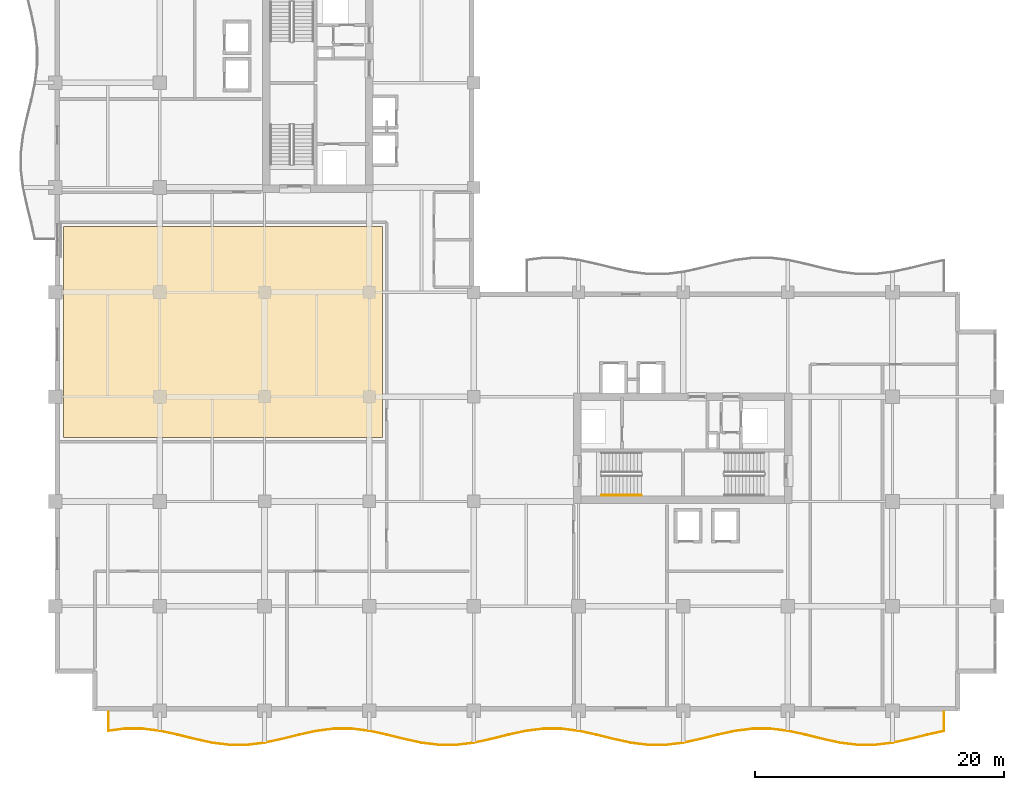
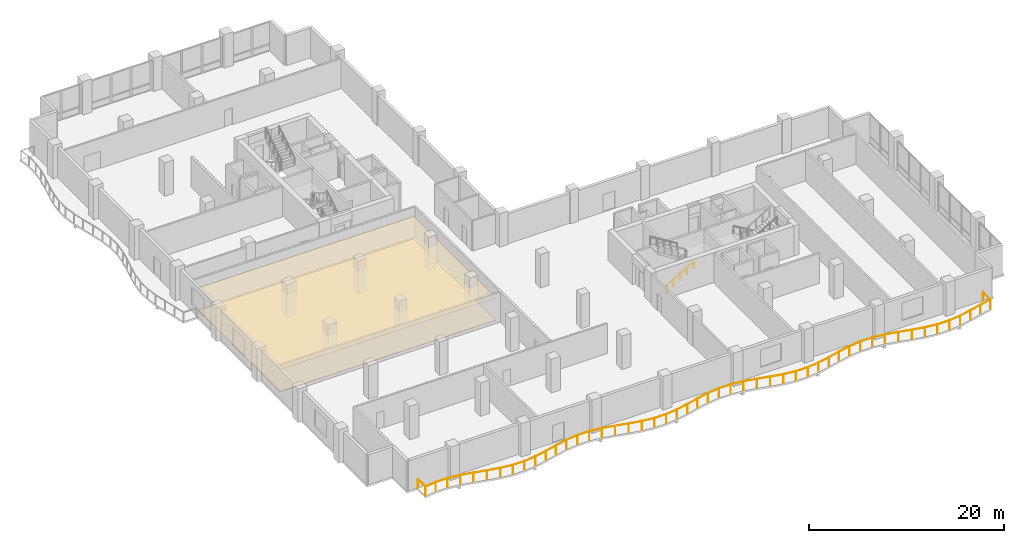
# One storey, part 18 of 21: 2 coverings, 2 railings.
"""IFC4 building model written with IfcOpenShell, lengths in metres."""

from ifc_helpers import new_model, si_unit, direction, frame, origin, origin_2d, place, context, subcontext, project, spatial, polyline, circle, outline, extrude, material, layer, layer_set, type_object, element, save


model = new_model("IFC4")

# Units and contexts
model_context = context("Model", 3, precision=1e-05, world=origin(), true_north=direction((0.0, 1.0)))
body_context = subcontext(model_context, "Body", "Model", "MODEL_VIEW")
ifc_project = project(units=[si_unit("LENGTHUNIT", "METRE"), si_unit("AREAUNIT", "SQUARE_METRE"), si_unit("VOLUMEUNIT", "CUBIC_METRE"), si_unit("PLANEANGLEUNIT", "RADIAN"), si_unit("MASSUNIT", "GRAM", prefix="KILO")], contexts=[model_context])

# Site, building, storey
site_placement = place(None, origin())
site = spatial("IfcSite", under=ifc_project, at=site_placement, CompositionType="ELEMENT")
building_placement = place(site_placement, origin())
building = spatial("IfcBuilding", under=site, at=building_placement, Name="Koriwani Terraces Tower", CompositionType="ELEMENT")
storey_placement = place(building_placement, frame((0.0, 0.0, 224.0)))
storey = spatial("IfcBuildingStorey", under=building, at=storey_placement, Name="L55", CompositionType="ELEMENT", Elevation=224.0)

# Coverings
ifc_material_1 = material(Name="Fire-Rated Acoustic Gypsum Partition", Category="masonry")
ifc_layer_1 = layer(ifc_material_1, 0.02490234375, Name="Fire-Rated Acoustic Gypsum Partition")
ifc_layer_set_1 = layer_set([ifc_layer_1], Name="Fire-Rated Acoustic Gypsum Partition")
covering_type_1 = type_object("IfcCoveringType", Name="CEILING_ACOUSTIC_GYPSUM", PredefinedType="CEILING", material=ifc_layer_set_1)
covering_1_placement = place(storey_placement, frame((0.0, 0.0, 2.804931640625)))
element("IfcCovering", 1, at=covering_1_placement, inside=storey, type_object=covering_type_1, Name="L55 Suspended Acoustic Gypsum Ceiling", PredefinedType="CEILING", context=body_context, shape_type="SweptSolid", body=[
    extrude(outline(polyline([(0.64990234375, 21.949951171875), (0.64990234375, 38.85009765625), (26.25, 38.85009765625), (26.25, 21.949951171875), (0.64990234375, 21.949951171875)])), origin(), (0.0, 0.0, 1.0), 0.025146484375),
])
ifc_material_2 = material(Name="Polished Andean Slate Flooring", Category="masonry")
ifc_layer_2 = layer(ifc_material_2, 0.030029296875, Name="Polished Andean Slate Flooring")
ifc_layer_set_2 = layer_set([ifc_layer_2], Name="Polished Andean Slate Flooring")
covering_type_2 = type_object("IfcCoveringType", Name="FLOORING_ANDEAN_STONE", PredefinedType="FLOORING", material=ifc_layer_set_2)
covering_2_placement = place(storey_placement, origin())
element("IfcCovering", 2, at=covering_2_placement, inside=storey, type_object=covering_type_2, Name="L55 Polished Andean Slate Floor Finish", PredefinedType="FLOORING", context=body_context, shape_type="SweptSolid", body=[
    extrude(outline(polyline([(0.64990234375, 21.949951171875), (0.64990234375, 38.85009765625), (26.25, 38.85009765625), (26.25, 21.949951171875), (0.64990234375, 21.949951171875)])), origin(), (0.0, 0.0, 1.0), 0.030029296875),
])

# Railings
ifc_material_3 = material(Name="Steel ASTM A572 Grade 50", Category="steel")
railing_type_1 = type_object("IfcRailingType", Name="GUARD_BALUSTRADE_1150", PredefinedType="BALUSTRADE", material=ifc_material_3)
railing_1_placement = place(storey_placement, frame((4.280029296875, -0.080078125, 0.0)))
element("IfcRailing", 3, at=railing_1_placement, inside=storey, type_object=railing_type_1, Name="L55 Balcony Perimeter Safety Balustrade (S)", PredefinedType="BALUSTRADE", context=body_context, shape_type="SweptSolid", body=[
    extrude(circle(Radius=0.02392578125, at=origin_2d()), frame((0.0, 0.0, 1.1259765625), z_axis=(0.0, -1.0, 0.0), x_axis=(1.0, 0.0, 0.0)), (0.0, 0.0, 1.0), 1.527099609375),
    extrude(circle(Radius=0.02392578125, at=origin_2d()), frame((0.0, -1.527099609375, 1.1259765625), z_axis=(0.992328813699, 0.123626556627, 0.0), x_axis=(-0.123626556627, 0.992328813699, 0.0)), (0.0, 0.0, 1.0), 1.3251953125),
    extrude(circle(Radius=0.02392578125, at=origin_2d()), frame((1.31494140625, -1.36328125, 1.1259765625), z_axis=(1.0, 0.0, 0.0), x_axis=(0.0, 1.0, 0.0)), (0.0, 0.0, 1.0), 1.409912109375),
    extrude(circle(Radius=0.02392578125, at=origin_2d()), frame((2.724853515625, -1.36328125, 1.1259765625), z_axis=(0.992322798546, -0.123674829633, 0.0), x_axis=(0.123674829633, 0.992322798546, 0.0)), (0.0, 0.0, 1.0), 1.41943359375),
    extrude(circle(Radius=0.02392578125, at=origin_2d()), frame((4.13330078125, -1.538818359375, 1.1259765625), z_axis=(0.977453031353, -0.21115295759, 0.0), x_axis=(0.21115295759, 0.977453031353, 0.0)), (0.0, 0.0, 1.0), 1.437255859375),
    extrude(circle(Radius=0.02392578125, at=origin_2d()), frame((5.5380859375, -1.84228515625, 1.1259765625), z_axis=(0.970241952903, -0.242137466795, 0.0), x_axis=(0.242137466795, 0.970241952903, 0.0)), (0.0, 0.0, 1.0), 1.44287109375),
    extrude(circle(Radius=0.02392578125, at=origin_2d()), frame((6.93798828125, -2.191650390625, 1.1259765625), z_axis=(0.977402706702, -0.211385782237, 0.0), x_axis=(0.211385782237, 0.977402706702, 0.0)), (0.0, 0.0, 1.0), 1.427490234375),
    extrude(circle(Radius=0.02392578125, at=origin_2d()), frame((8.333251953125, -2.493408203125, 1.1259765625), z_axis=(0.992309982997, -0.123777613669, 0.0), x_axis=(0.123777613669, 0.992309982997, 0.0)), (0.0, 0.0, 1.0), 1.40234375),
    extrude(circle(Radius=0.02392578125, at=origin_2d()), frame((9.724853515625, -2.6669921875, 1.1259765625), z_axis=(1.0, 0.0, 0.0), x_axis=(0.0, 1.0, 0.0)), (0.0, 0.0, 1.0), 1.39013671875),
    extrude(circle(Radius=0.02392578125, at=origin_2d()), frame((11.114990234375, -2.6669921875, 1.1259765625), z_axis=(0.992309982997, 0.123777613669, 0.0), x_axis=(-0.123777613669, 0.992309982997, 0.0)), (0.0, 0.0, 1.0), 1.40234375),
    extrude(circle(Radius=0.02392578125, at=origin_2d()), frame((12.506591796875, -2.493408203125, 1.1259765625), z_axis=(0.977402706702, 0.211385782237, 0.0), x_axis=(-0.211385782237, 0.977402706702, 0.0)), (0.0, 0.0, 1.0), 1.427490234375),
    extrude(circle(Radius=0.02392578125, at=origin_2d()), frame((13.90185546875, -2.191650390625, 1.1259765625), z_axis=(0.970241952903, 0.242137466795, 0.0), x_axis=(-0.242137466795, 0.970241952903, 0.0)), (0.0, 0.0, 1.0), 1.44287109375),
    extrude(circle(Radius=0.02392578125, at=origin_2d()), frame((15.3017578125, -1.84228515625, 1.1259765625), z_axis=(0.977453031353, 0.21115295759, 0.0), x_axis=(-0.21115295759, 0.977453031353, 0.0)), (0.0, 0.0, 1.0), 1.437255859375),
    extrude(circle(Radius=0.02392578125, at=origin_2d()), frame((16.70654296875, -1.538818359375, 1.1259765625), z_axis=(0.992322798546, 0.123674829633, 0.0), x_axis=(-0.123674829633, 0.992322798546, 0.0)), (0.0, 0.0, 1.0), 1.41943359375),
    extrude(circle(Radius=0.02392578125, at=origin_2d()), frame((18.114990234375, -1.36328125, 1.1259765625), z_axis=(1.0, 0.0, 0.0), x_axis=(0.0, 1.0, 0.0)), (0.0, 0.0, 1.0), 1.409912109375),
    extrude(circle(Radius=0.02392578125, at=origin_2d()), frame((19.52490234375, -1.36328125, 1.1259765625), z_axis=(0.992322798546, -0.123674829633, 0.0), x_axis=(0.123674829633, 0.992322798546, 0.0)), (0.0, 0.0, 1.0), 1.41943359375),
    extrude(circle(Radius=0.02392578125, at=origin_2d()), frame((20.933349609375, -1.538818359375, 1.1259765625), z_axis=(0.977453031353, -0.21115295759, 0.0), x_axis=(0.21115295759, 0.977453031353, 0.0)), (0.0, 0.0, 1.0), 1.437255859375),
    extrude(circle(Radius=0.02392578125, at=origin_2d()), frame((22.338134765625, -1.84228515625, 1.1259765625), z_axis=(0.970241952903, -0.242137466795, 0.0), x_axis=(0.242137466795, 0.970241952903, 0.0)), (0.0, 0.0, 1.0), 1.44287109375),
    extrude(circle(Radius=0.02392578125, at=origin_2d()), frame((23.738037109375, -2.191650390625, 1.1259765625), z_axis=(0.977402706702, -0.211385782237, 0.0), x_axis=(0.211385782237, 0.977402706702, 0.0)), (0.0, 0.0, 1.0), 1.427490234375),
    extrude(circle(Radius=0.02392578125, at=origin_2d()), frame((25.13330078125, -2.493408203125, 1.1259765625), z_axis=(0.992309982997, -0.123777613669, 0.0), x_axis=(0.123777613669, 0.992309982997, 0.0)), (0.0, 0.0, 1.0), 1.40234375),
    extrude(circle(Radius=0.02392578125, at=origin_2d()), frame((26.52490234375, -2.6669921875, 1.1259765625), z_axis=(1.0, 0.0, 0.0), x_axis=(0.0, 1.0, 0.0)), (0.0, 0.0, 1.0), 1.39013671875),
    extrude(circle(Radius=0.02392578125, at=origin_2d()), frame((27.9150390625, -2.6669921875, 1.1259765625), z_axis=(0.992309982997, 0.123777613669, 0.0), x_axis=(-0.123777613669, 0.992309982997, 0.0)), (0.0, 0.0, 1.0), 1.40234375),
    extrude(circle(Radius=0.02392578125, at=origin_2d()), frame((29.306640625, -2.493408203125, 1.1259765625), z_axis=(0.977402706702, 0.211385782237, 0.0), x_axis=(-0.211385782237, 0.977402706702, 0.0)), (0.0, 0.0, 1.0), 1.427490234375),
    extrude(circle(Radius=0.02392578125, at=origin_2d()), frame((30.701904296875, -2.191650390625, 1.1259765625), z_axis=(0.970241952903, 0.242137466795, 0.0), x_axis=(-0.242137466795, 0.970241952903, 0.0)), (0.0, 0.0, 1.0), 1.44287109375),
    extrude(circle(Radius=0.02392578125, at=origin_2d()), frame((32.101806640625, -1.84228515625, 1.1259765625), z_axis=(0.977453031353, 0.21115295759, 0.0), x_axis=(-0.21115295759, 0.977453031353, 0.0)), (0.0, 0.0, 1.0), 1.437255859375),
    extrude(circle(Radius=0.02392578125, at=origin_2d()), frame((33.506591796875, -1.538818359375, 1.1259765625), z_axis=(0.992322798546, 0.123674829633, 0.0), x_axis=(-0.123674829633, 0.992322798546, 0.0)), (0.0, 0.0, 1.0), 1.41943359375),
    extrude(circle(Radius=0.02392578125, at=origin_2d()), frame((34.9150390625, -1.36328125, 1.1259765625), z_axis=(1.0, 0.0, 0.0), x_axis=(0.0, 1.0, 0.0)), (0.0, 0.0, 1.0), 1.409912109375),
    extrude(circle(Radius=0.02392578125, at=origin_2d()), frame((36.324951171875, -1.36328125, 1.1259765625), z_axis=(0.992322798546, -0.123674829633, 0.0), x_axis=(0.123674829633, 0.992322798546, 0.0)), (0.0, 0.0, 1.0), 1.41943359375),
    extrude(circle(Radius=0.02392578125, at=origin_2d()), frame((37.7333984375, -1.538818359375, 1.1259765625), z_axis=(0.977453031353, -0.21115295759, 0.0), x_axis=(0.21115295759, 0.977453031353, 0.0)), (0.0, 0.0, 1.0), 1.437255859375),
    extrude(circle(Radius=0.02392578125, at=origin_2d()), frame((39.13818359375, -1.84228515625, 1.1259765625), z_axis=(0.970241952903, -0.242137466795, 0.0), x_axis=(0.242137466795, 0.970241952903, 0.0)), (0.0, 0.0, 1.0), 1.44287109375),
    extrude(circle(Radius=0.02392578125, at=origin_2d()), frame((40.5380859375, -2.191650390625, 1.1259765625), z_axis=(0.977402706702, -0.211385782237, 0.0), x_axis=(0.211385782237, 0.977402706702, 0.0)), (0.0, 0.0, 1.0), 1.427490234375),
    extrude(circle(Radius=0.02392578125, at=origin_2d()), frame((41.933349609375, -2.493408203125, 1.1259765625), z_axis=(0.992309982997, -0.123777613669, 0.0), x_axis=(0.123777613669, 0.992309982997, 0.0)), (0.0, 0.0, 1.0), 1.40234375),
    extrude(circle(Radius=0.02392578125, at=origin_2d()), frame((43.324951171875, -2.6669921875, 1.1259765625), z_axis=(1.0, 0.0, 0.0), x_axis=(0.0, 1.0, 0.0)), (0.0, 0.0, 1.0), 1.39013671875),
    extrude(circle(Radius=0.02392578125, at=origin_2d()), frame((44.715087890625, -2.6669921875, 1.1259765625), z_axis=(0.992309982997, 0.123777613669, 0.0), x_axis=(-0.123777613669, 0.992309982997, 0.0)), (0.0, 0.0, 1.0), 1.40234375),
    extrude(circle(Radius=0.02392578125, at=origin_2d()), frame((46.106689453125, -2.493408203125, 1.1259765625), z_axis=(0.977402706702, 0.211385782237, 0.0), x_axis=(-0.211385782237, 0.977402706702, 0.0)), (0.0, 0.0, 1.0), 1.427490234375),
    extrude(circle(Radius=0.02392578125, at=origin_2d()), frame((47.501953125, -2.191650390625, 1.1259765625), z_axis=(0.970241952903, 0.242137466795, 0.0), x_axis=(-0.242137466795, 0.970241952903, 0.0)), (0.0, 0.0, 1.0), 1.44287109375),
    extrude(circle(Radius=0.02392578125, at=origin_2d()), frame((48.90185546875, -1.84228515625, 1.1259765625), z_axis=(0.977453031353, 0.21115295759, 0.0), x_axis=(-0.21115295759, 0.977453031353, 0.0)), (0.0, 0.0, 1.0), 1.437255859375),
    extrude(circle(Radius=0.02392578125, at=origin_2d()), frame((50.306640625, -1.538818359375, 1.1259765625), z_axis=(0.992322798546, 0.123674829633, 0.0), x_axis=(-0.123674829633, 0.992322798546, 0.0)), (0.0, 0.0, 1.0), 1.41943359375),
    extrude(circle(Radius=0.02392578125, at=origin_2d()), frame((51.715087890625, -1.36328125, 1.1259765625), z_axis=(1.0, 0.0, 0.0), x_axis=(0.0, 1.0, 0.0)), (0.0, 0.0, 1.0), 1.409912109375),
    extrude(circle(Radius=0.02392578125, at=origin_2d()), frame((53.125, -1.36328125, 1.1259765625), z_axis=(0.992322798546, -0.123674829633, 0.0), x_axis=(0.123674829633, 0.992322798546, 0.0)), (0.0, 0.0, 1.0), 1.41943359375),
    extrude(circle(Radius=0.02392578125, at=origin_2d()), frame((54.533447265625, -1.538818359375, 1.1259765625), z_axis=(0.977445455552, -0.211188023857, 0.0), x_axis=(0.211188023857, 0.977445455552, 0.0)), (0.0, 0.0, 1.0), 1.43701171875),
    extrude(circle(Radius=0.02392578125, at=origin_2d()), frame((55.93798828125, -1.84228515625, 1.1259765625), z_axis=(0.970251871253, -0.242097720621, 0.0), x_axis=(0.242097720621, 0.970251871253, 0.0)), (0.0, 0.0, 1.0), 1.443115234375),
    extrude(circle(Radius=0.02392578125, at=origin_2d()), frame((57.338134765625, -2.191650390625, 1.1259765625), z_axis=(0.977402706702, -0.211385782237, 0.0), x_axis=(0.211385782237, 0.977402706702, 0.0)), (0.0, 0.0, 1.0), 1.427490234375),
    extrude(circle(Radius=0.02392578125, at=origin_2d()), frame((58.7333984375, -2.493408203125, 1.1259765625), z_axis=(0.992309982997, -0.123777613669, 0.0), x_axis=(0.123777613669, 0.992309982997, 0.0)), (0.0, 0.0, 1.0), 1.40234375),
    extrude(circle(Radius=0.02392578125, at=origin_2d()), frame((60.125, -2.6669921875, 1.1259765625), z_axis=(1.0, 0.0, 0.0), x_axis=(0.0, 1.0, 0.0)), (0.0, 0.0, 1.0), 1.389892578125),
    extrude(circle(Radius=0.02392578125, at=origin_2d()), frame((61.514892578125, -2.6669921875, 1.1259765625), z_axis=(0.992309982997, 0.123777613669, 0.0), x_axis=(-0.123777613669, 0.992309982997, 0.0)), (0.0, 0.0, 1.0), 1.40234375),
    extrude(circle(Radius=0.02392578125, at=origin_2d()), frame((62.906494140625, -2.493408203125, 1.1259765625), z_axis=(0.977402706702, 0.211385782237, 0.0), x_axis=(-0.211385782237, 0.977402706702, 0.0)), (0.0, 0.0, 1.0), 1.427490234375),
    extrude(circle(Radius=0.02392578125, at=origin_2d()), frame((64.3017578125, -2.191650390625, 1.1259765625), z_axis=(0.970251871253, 0.242097720621, 0.0), x_axis=(-0.242097720621, 0.970251871253, 0.0)), (0.0, 0.0, 1.0), 1.443115234375),
    extrude(circle(Radius=0.02392578125, at=origin_2d()), frame((65.701904296875, -1.84228515625, 1.1259765625), z_axis=(0.977417151998, 0.211318979222, 0.0), x_axis=(-0.211318979222, 0.977417151998, 0.0)), (0.0, 0.0, 1.0), 1.369140625),
    extrude(circle(Radius=0.02392578125, at=origin_2d()), frame((67.0400390625, -1.552978515625, 1.1259765625), z_axis=(0.0, 1.0, 0.0), x_axis=(-1.0, 0.0, 0.0)), (0.0, 0.0, 1.0), 1.552978515625),
    extrude(circle(Radius=0.02099609375, at=origin_2d()), origin(), (0.0, 0.0, 1.0), 1.101806640625),
    extrude(circle(Radius=0.02099609375, at=origin_2d()), frame((0.0, -1.527099609375, 0.0)), (0.0, 0.0, 1.0), 1.101806640625),
    extrude(circle(Radius=0.02099609375, at=origin_2d()), frame((1.31494140625, -1.36328125, 0.0)), (0.0, 0.0, 1.0), 1.101806640625),
    extrude(circle(Radius=0.02099609375, at=origin_2d()), frame((2.724853515625, -1.36328125, 0.0)), (0.0, 0.0, 1.0), 1.101806640625),
    extrude(circle(Radius=0.02099609375, at=origin_2d()), frame((4.13330078125, -1.538818359375, 0.0)), (0.0, 0.0, 1.0), 1.101806640625),
    extrude(circle(Radius=0.02099609375, at=origin_2d()), frame((5.5380859375, -1.84228515625, 0.0)), (0.0, 0.0, 1.0), 1.101806640625),
    extrude(circle(Radius=0.02099609375, at=origin_2d()), frame((6.93798828125, -2.191650390625, 0.0)), (0.0, 0.0, 1.0), 1.101806640625),
    extrude(circle(Radius=0.02099609375, at=origin_2d()), frame((8.333251953125, -2.493408203125, 0.0)), (0.0, 0.0, 1.0), 1.101806640625),
    extrude(circle(Radius=0.02099609375, at=origin_2d()), frame((9.724853515625, -2.6669921875, 0.0)), (0.0, 0.0, 1.0), 1.101806640625),
    extrude(circle(Radius=0.02099609375, at=origin_2d()), frame((11.114990234375, -2.6669921875, 0.0)), (0.0, 0.0, 1.0), 1.101806640625),
    extrude(circle(Radius=0.02099609375, at=origin_2d()), frame((12.506591796875, -2.493408203125, 0.0)), (0.0, 0.0, 1.0), 1.101806640625),
    extrude(circle(Radius=0.02099609375, at=origin_2d()), frame((13.90185546875, -2.191650390625, 0.0)), (0.0, 0.0, 1.0), 1.101806640625),
    extrude(circle(Radius=0.02099609375, at=origin_2d()), frame((15.3017578125, -1.84228515625, 0.0)), (0.0, 0.0, 1.0), 1.101806640625),
    extrude(circle(Radius=0.02099609375, at=origin_2d()), frame((16.70654296875, -1.538818359375, 0.0)), (0.0, 0.0, 1.0), 1.101806640625),
    extrude(circle(Radius=0.02099609375, at=origin_2d()), frame((18.114990234375, -1.36328125, 0.0)), (0.0, 0.0, 1.0), 1.101806640625),
    extrude(circle(Radius=0.02099609375, at=origin_2d()), frame((19.52490234375, -1.36328125, 0.0)), (0.0, 0.0, 1.0), 1.101806640625),
    extrude(circle(Radius=0.02099609375, at=origin_2d()), frame((20.933349609375, -1.538818359375, 0.0)), (0.0, 0.0, 1.0), 1.101806640625),
    extrude(circle(Radius=0.02099609375, at=origin_2d()), frame((22.338134765625, -1.84228515625, 0.0)), (0.0, 0.0, 1.0), 1.101806640625),
    extrude(circle(Radius=0.02099609375, at=origin_2d()), frame((23.738037109375, -2.191650390625, 0.0)), (0.0, 0.0, 1.0), 1.101806640625),
    extrude(circle(Radius=0.02099609375, at=origin_2d()), frame((25.13330078125, -2.493408203125, 0.0)), (0.0, 0.0, 1.0), 1.101806640625),
    extrude(circle(Radius=0.02099609375, at=origin_2d()), frame((26.52490234375, -2.6669921875, 0.0)), (0.0, 0.0, 1.0), 1.101806640625),
    extrude(circle(Radius=0.02099609375, at=origin_2d()), frame((27.9150390625, -2.6669921875, 0.0)), (0.0, 0.0, 1.0), 1.101806640625),
    extrude(circle(Radius=0.02099609375, at=origin_2d()), frame((29.306640625, -2.493408203125, 0.0)), (0.0, 0.0, 1.0), 1.101806640625),
    extrude(circle(Radius=0.02099609375, at=origin_2d()), frame((30.701904296875, -2.191650390625, 0.0)), (0.0, 0.0, 1.0), 1.101806640625),
    extrude(circle(Radius=0.02099609375, at=origin_2d()), frame((32.101806640625, -1.84228515625, 0.0)), (0.0, 0.0, 1.0), 1.101806640625),
    extrude(circle(Radius=0.02099609375, at=origin_2d()), frame((33.506591796875, -1.538818359375, 0.0)), (0.0, 0.0, 1.0), 1.101806640625),
    extrude(circle(Radius=0.02099609375, at=origin_2d()), frame((34.9150390625, -1.36328125, 0.0)), (0.0, 0.0, 1.0), 1.101806640625),
    extrude(circle(Radius=0.02099609375, at=origin_2d()), frame((36.324951171875, -1.36328125, 0.0)), (0.0, 0.0, 1.0), 1.101806640625),
    extrude(circle(Radius=0.02099609375, at=origin_2d()), frame((37.7333984375, -1.538818359375, 0.0)), (0.0, 0.0, 1.0), 1.101806640625),
    extrude(circle(Radius=0.02099609375, at=origin_2d()), frame((39.13818359375, -1.84228515625, 0.0)), (0.0, 0.0, 1.0), 1.101806640625),
    extrude(circle(Radius=0.02099609375, at=origin_2d()), frame((40.5380859375, -2.191650390625, 0.0)), (0.0, 0.0, 1.0), 1.101806640625),
    extrude(circle(Radius=0.02099609375, at=origin_2d()), frame((41.933349609375, -2.493408203125, 0.0)), (0.0, 0.0, 1.0), 1.101806640625),
    extrude(circle(Radius=0.02099609375, at=origin_2d()), frame((43.324951171875, -2.6669921875, 0.0)), (0.0, 0.0, 1.0), 1.101806640625),
    extrude(circle(Radius=0.02099609375, at=origin_2d()), frame((44.715087890625, -2.6669921875, 0.0)), (0.0, 0.0, 1.0), 1.101806640625),
    extrude(circle(Radius=0.02099609375, at=origin_2d()), frame((46.106689453125, -2.493408203125, 0.0)), (0.0, 0.0, 1.0), 1.101806640625),
    extrude(circle(Radius=0.02099609375, at=origin_2d()), frame((47.501953125, -2.191650390625, 0.0)), (0.0, 0.0, 1.0), 1.101806640625),
    extrude(circle(Radius=0.02099609375, at=origin_2d()), frame((48.90185546875, -1.84228515625, 0.0)), (0.0, 0.0, 1.0), 1.101806640625),
    extrude(circle(Radius=0.02099609375, at=origin_2d()), frame((50.306640625, -1.538818359375, 0.0)), (0.0, 0.0, 1.0), 1.101806640625),
    extrude(circle(Radius=0.02099609375, at=origin_2d()), frame((51.715087890625, -1.36328125, 0.0)), (0.0, 0.0, 1.0), 1.101806640625),
    extrude(circle(Radius=0.02099609375, at=origin_2d()), frame((53.125, -1.36328125, 0.0)), (0.0, 0.0, 1.0), 1.101806640625),
    extrude(circle(Radius=0.02099609375, at=origin_2d()), frame((54.533447265625, -1.538818359375, 0.0)), (0.0, 0.0, 1.0), 1.101806640625),
    extrude(circle(Radius=0.02099609375, at=origin_2d()), frame((55.93798828125, -1.84228515625, 0.0)), (0.0, 0.0, 1.0), 1.101806640625),
    extrude(circle(Radius=0.02099609375, at=origin_2d()), frame((57.338134765625, -2.191650390625, 0.0)), (0.0, 0.0, 1.0), 1.101806640625),
    extrude(circle(Radius=0.02099609375, at=origin_2d()), frame((58.7333984375, -2.493408203125, 0.0)), (0.0, 0.0, 1.0), 1.101806640625),
    extrude(circle(Radius=0.02099609375, at=origin_2d()), frame((60.125, -2.6669921875, 0.0)), (0.0, 0.0, 1.0), 1.101806640625),
    extrude(circle(Radius=0.02099609375, at=origin_2d()), frame((61.514892578125, -2.6669921875, 0.0)), (0.0, 0.0, 1.0), 1.101806640625),
    extrude(circle(Radius=0.02099609375, at=origin_2d()), frame((62.906494140625, -2.493408203125, 0.0)), (0.0, 0.0, 1.0), 1.101806640625),
    extrude(circle(Radius=0.02099609375, at=origin_2d()), frame((64.3017578125, -2.191650390625, 0.0)), (0.0, 0.0, 1.0), 1.101806640625),
    extrude(circle(Radius=0.02099609375, at=origin_2d()), frame((65.701904296875, -1.84228515625, 0.0)), (0.0, 0.0, 1.0), 1.101806640625),
    extrude(circle(Radius=0.02099609375, at=origin_2d()), frame((67.0400390625, -1.552978515625, 0.0)), (0.0, 0.0, 1.0), 1.101806640625),
    extrude(circle(Radius=0.02099609375, at=origin_2d()), frame((67.0400390625, 0.0, 0.0)), (0.0, 0.0, 1.0), 1.101806640625),
])
railing_type_2 = type_object("IfcRailingType", Name="HANDRAIL_STAIR_920", PredefinedType="HANDRAIL", material=ifc_material_3)
railing_2_placement = place(storey_placement, frame((43.85009765625, 17.300048828125, 0.175048828125)))
element("IfcRailing", 4, at=railing_2_placement, inside=storey, type_object=railing_type_2, Name="L55 ST-E1 stair handrail 1", PredefinedType="HANDRAIL", context=body_context, shape_type="SweptSolid", body=[
    extrude(circle(Radius=0.02392578125, at=origin_2d()), frame((0.0, 0.0, 0.8759765625), z_axis=(0.856177665481, 0.0, 0.516681531633), x_axis=(0.0, 1.0, 0.0)), (0.0, 0.0, 1.0), 3.725830078125),
    extrude(circle(Radius=0.02099609375, at=origin_2d()), origin(), (0.0, 0.0, 1.0), 0.851806640625),
    extrude(circle(Radius=0.02099609375, at=origin_2d()), frame((0.79736328125, 0.0, 0.481201171875)), (0.0, 0.0, 1.0), 0.851806640625),
    extrude(circle(Radius=0.02099609375, at=origin_2d()), frame((1.594970703125, 0.0, 0.96240234375)), (0.0, 0.0, 1.0), 0.851806640625),
    extrude(circle(Radius=0.02099609375, at=origin_2d()), frame((2.392578125, 0.0, 1.44384765625)), (0.0, 0.0, 1.0), 0.851806640625),
    extrude(circle(Radius=0.02099609375, at=origin_2d()), frame((3.18994140625, 0.0, 1.925048828125)), (0.0, 0.0, 1.0), 0.851806640625),
])

save(model, "model.ifc")
